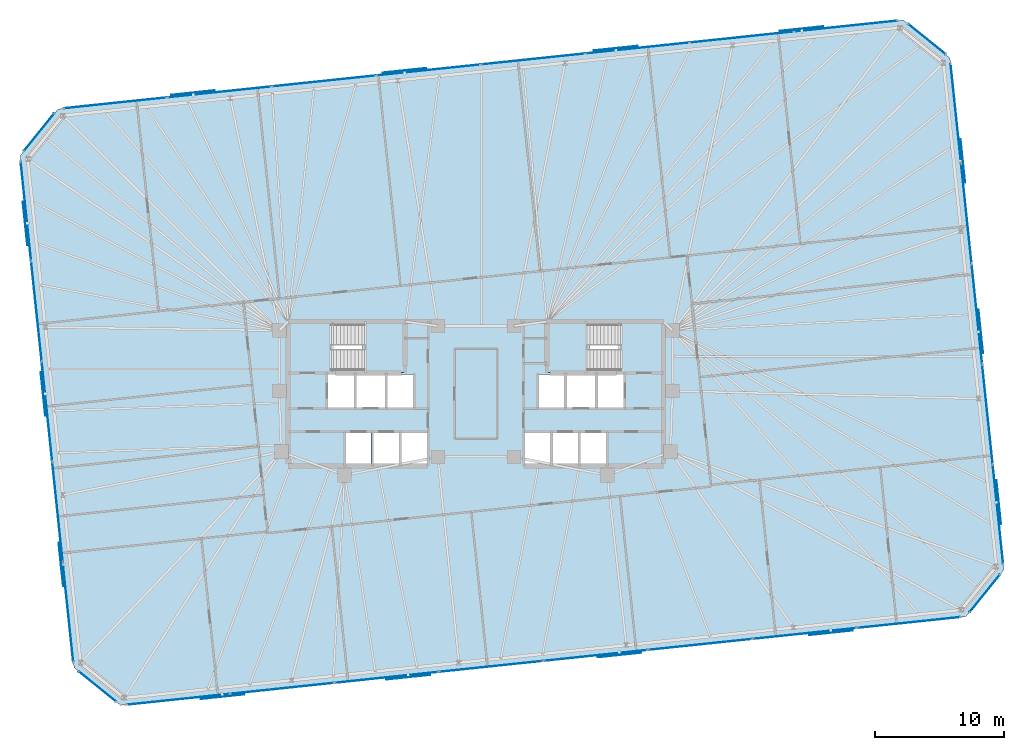
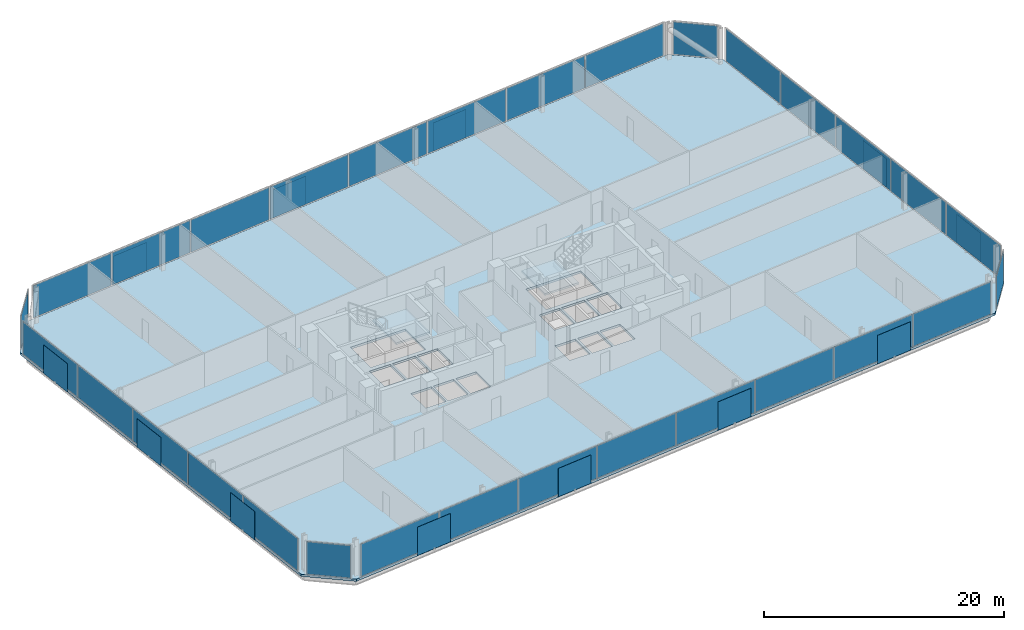
# One storey, part 13 of 18: 44 plates, 3 slabs, 10 elements without a shape of their own.
"""IFC4 building model written with IfcOpenShell, lengths in metres."""

from ifc_helpers import new_model, si_unit, direction, frame, origin, origin_2d, place, context, subcontext, project, spatial, polyline, rectangle, outline, extrude, material, layer, layer_set, type_object, element, aggregate, save


model = new_model("IFC4")

# Units and contexts
model_context = context("Model", 3, precision=1e-05, world=origin(), true_north=direction((0.0, 1.0)))
body_context = subcontext(model_context, "Body", "Model", "MODEL_VIEW")
ifc_project = project(units=[si_unit("LENGTHUNIT", "METRE"), si_unit("AREAUNIT", "SQUARE_METRE"), si_unit("VOLUMEUNIT", "CUBIC_METRE"), si_unit("PLANEANGLEUNIT", "RADIAN"), si_unit("MASSUNIT", "GRAM", prefix="KILO")], contexts=[model_context])

# Site, building, storey
site_placement = place(None, origin())
site = spatial("IfcSite", under=ifc_project, at=site_placement, CompositionType="ELEMENT")
building_placement = place(site_placement, origin())
building = spatial("IfcBuilding", under=site, at=building_placement, Name="Menara Jurai Vektor", CompositionType="ELEMENT")
storey_placement = place(building_placement, frame((0.0, 0.0, 120.699951171875)))
storey = spatial("IfcBuildingStorey", under=building, at=storey_placement, Name="L30", CompositionType="ELEMENT", Elevation=120.699951171875)

# Curtain wall, plates
ifc_material_1 = material(Name="Anodised Pale Aluminium & Low-E Double Glazing", Category="aluminium")
curtain_wall_type = type_object("IfcCurtainWallType", Name="CW-BLK2", PredefinedType="NOTDEFINED", material=ifc_material_1)
curtain_wall_1_placement = place(storey_placement, origin())
curtain_wall_1 = element("IfcCurtainWall", 1, at=curtain_wall_1_placement, inside=storey, type_object=curtain_wall_type, Name="Unitised Curtain Wall L30 F01", PredefinedType="NOTDEFINED")
ifc_material_2 = material(Name="Low-E Solar-Control Double Glazed Unit", Category="glass")
ifc_layer_1 = layer(ifc_material_2, 0.033935546875)
ifc_layer_set_1 = layer_set([ifc_layer_1], Name="Low-E Solar-Control Double Glazed Unit")
plate_type_1 = type_object("IfcPlateType", Name="CW-BLK2-PNL", PredefinedType="CURTAIN_PANEL", material=ifc_layer_set_1)
plate_1_placement = place(storey_placement, frame((-23.090087890625, -23.69921875, 0.090087890625), z_axis=(0.0, 0.0, 1.0), x_axis=(0.994521877325, 0.104528634935, 0.0)))
plate_1 = element("IfcPlate", 2, at=plate_1_placement, type_object=plate_type_1, Name="CW-02 panel 1.1", PredefinedType="CURTAIN_PANEL", context=body_context, shape_type="SweptSolid", body=[
    extrude(rectangle(XDim=8.007568359375, YDim=0.033935546875, at=origin_2d()), origin(), (0.0, 0.0, 1.0), 3.294921875),
])
plate_2_placement = place(storey_placement, frame((-15.014404296875, -22.850341796875, 0.090087890625), z_axis=(0.0, 0.0, 1.0), x_axis=(0.994521877325, 0.104528634935, 0.0)))
plate_2 = element("IfcPlate", 3, at=plate_2_placement, type_object=plate_type_1, Name="CW-02 panel 2.1", PredefinedType="CURTAIN_PANEL", context=body_context, shape_type="SweptSolid", body=[
    extrude(rectangle(XDim=8.052490234375, YDim=0.033935546875, at=origin_2d()), origin(), (0.0, 0.0, 1.0), 3.294921875),
])
plate_3_placement = place(storey_placement, frame((-6.91650390625, -21.999267578125, 0.090087890625), z_axis=(0.0, 0.0, 1.0), x_axis=(0.994521877325, 0.104528634935, 0.0)))
plate_3 = element("IfcPlate", 4, at=plate_3_placement, type_object=plate_type_1, Name="CW-02 panel 3.1", PredefinedType="CURTAIN_PANEL", context=body_context, shape_type="SweptSolid", body=[
    extrude(rectangle(XDim=8.052490234375, YDim=0.033935546875, at=origin_2d()), origin(), (0.0, 0.0, 1.0), 3.294921875),
])
plate_4_placement = place(storey_placement, frame((1.181396484375, -21.148193359375, 0.090087890625), z_axis=(0.0, 0.0, 1.0), x_axis=(0.994521877325, 0.104528634935, 0.0)))
plate_4 = element("IfcPlate", 5, at=plate_4_placement, type_object=plate_type_1, Name="CW-02 panel 4.1", PredefinedType="CURTAIN_PANEL", context=body_context, shape_type="SweptSolid", body=[
    extrude(rectangle(XDim=8.052490234375, YDim=0.033935546875, at=origin_2d()), origin(), (0.0, 0.0, 1.0), 3.294921875),
])
plate_5_placement = place(storey_placement, frame((9.279296875, -20.297119140625, 0.090087890625), z_axis=(0.0, 0.0, 1.0), x_axis=(0.994521877325, 0.104528634935, 0.0)))
plate_5 = element("IfcPlate", 6, at=plate_5_placement, type_object=plate_type_1, Name="CW-02 panel 5.1", PredefinedType="CURTAIN_PANEL", context=body_context, shape_type="SweptSolid", body=[
    extrude(rectangle(XDim=8.052490234375, YDim=0.033935546875, at=origin_2d()), origin(), (0.0, 0.0, 1.0), 3.294921875),
])
plate_6_placement = place(storey_placement, frame((17.377197265625, -19.44580078125, 0.090087890625), z_axis=(0.0, 0.0, 1.0), x_axis=(0.994521877325, 0.104528634935, 0.0)))
plate_6 = element("IfcPlate", 7, at=plate_6_placement, type_object=plate_type_1, Name="CW-02 panel 6.1", PredefinedType="CURTAIN_PANEL", context=body_context, shape_type="SweptSolid", body=[
    extrude(rectangle(XDim=8.052490234375, YDim=0.033935546875, at=origin_2d()), origin(), (0.0, 0.0, 1.0), 3.294921875),
])
plate_7_placement = place(storey_placement, frame((25.47509765625, -18.5947265625, 0.090087890625), z_axis=(0.0, 0.0, 1.0), x_axis=(0.994521877325, 0.104528634935, 0.0)))
plate_7 = element("IfcPlate", 8, at=plate_7_placement, type_object=plate_type_1, Name="CW-02 panel 7.1", PredefinedType="CURTAIN_PANEL", context=body_context, shape_type="SweptSolid", body=[
    extrude(rectangle(XDim=8.052490234375, YDim=0.033935546875, at=origin_2d()), origin(), (0.0, 0.0, 1.0), 3.294921875),
])
plate_8_placement = place(storey_placement, frame((33.550537109375, -17.74609375, 0.090087890625), z_axis=(0.0, 0.0, 1.0), x_axis=(0.994521877325, 0.104528634935, 0.0)))
plate_8 = element("IfcPlate", 9, at=plate_8_placement, type_object=plate_type_1, Name="CW-02 panel 8.1", PredefinedType="CURTAIN_PANEL", context=body_context, shape_type="SweptSolid", body=[
    extrude(rectangle(XDim=8.007568359375, YDim=0.033935546875, at=origin_2d()), origin(), (0.0, 0.0, 1.0), 3.294921875),
])
aggregate(curtain_wall_1, [plate_1, plate_2, plate_3, plate_4, plate_5, plate_6, plate_7, plate_8])

curtain_wall_2_placement = place(storey_placement, origin())
curtain_wall_2 = element("IfcCurtainWall", 10, at=curtain_wall_2_placement, inside=storey, type_object=curtain_wall_type, Name="Unitised Curtain Wall L30 F03", PredefinedType="NOTDEFINED")
plate_9_placement = place(storey_placement, frame((40.485595703125, -9.358642578125, 0.090087890625), z_axis=(0.0, 0.0, 1.0), x_axis=(-0.104529576902, 0.99452177832, 0.0)))
plate_9 = element("IfcPlate", 11, at=plate_9_placement, type_object=plate_type_1, Name="CW-02 panel 1.1", PredefinedType="CURTAIN_PANEL", context=body_context, shape_type="SweptSolid", body=[
    extrude(rectangle(XDim=7.693115234375, YDim=0.033935546875, at=origin_2d()), origin(), (0.0, 0.0, 1.0), 3.294921875),
])
plate_10_placement = place(storey_placement, frame((39.669677734375, -1.595947265625, 0.090087890625), z_axis=(0.0, 0.0, 1.0), x_axis=(-0.104529576902, 0.99452177832, 0.0)))
plate_10 = element("IfcPlate", 12, at=plate_10_placement, type_object=plate_type_1, Name="CW-02 panel 2.1", PredefinedType="CURTAIN_PANEL", context=body_context, shape_type="SweptSolid", body=[
    extrude(rectangle(XDim=7.738037109375, YDim=0.033935546875, at=origin_2d()), origin(), (0.0, 0.0, 1.0), 3.294921875),
])
plate_11_placement = place(storey_placement, frame((38.8515625, 6.189208984375, 0.090087890625), z_axis=(0.0, 0.0, 1.0), x_axis=(-0.104529576902, 0.99452177832, 0.0)))
plate_11 = element("IfcPlate", 13, at=plate_11_placement, type_object=plate_type_1, Name="CW-02 panel 3.1", PredefinedType="CURTAIN_PANEL", context=body_context, shape_type="SweptSolid", body=[
    extrude(rectangle(XDim=7.738037109375, YDim=0.033935546875, at=origin_2d()), origin(), (0.0, 0.0, 1.0), 3.294921875),
])
plate_12_placement = place(storey_placement, frame((38.033203125, 13.974365234375, 0.090087890625), z_axis=(0.0, 0.0, 1.0), x_axis=(-0.104529576902, 0.99452177832, 0.0)))
plate_12 = element("IfcPlate", 14, at=plate_12_placement, type_object=plate_type_1, Name="CW-02 panel 4.1", PredefinedType="CURTAIN_PANEL", context=body_context, shape_type="SweptSolid", body=[
    extrude(rectangle(XDim=7.738037109375, YDim=0.033935546875, at=origin_2d()), origin(), (0.0, 0.0, 1.0), 3.294921875),
])
plate_13_placement = place(storey_placement, frame((37.21728515625, 21.737060546875, 0.090087890625), z_axis=(0.0, 0.0, 1.0), x_axis=(-0.104529576902, 0.99452177832, 0.0)))
plate_13 = element("IfcPlate", 15, at=plate_13_placement, type_object=plate_type_1, Name="CW-02 panel 5.1", PredefinedType="CURTAIN_PANEL", context=body_context, shape_type="SweptSolid", body=[
    extrude(rectangle(XDim=7.693115234375, YDim=0.033935546875, at=origin_2d()), origin(), (0.0, 0.0, 1.0), 3.294921875),
])
aggregate(curtain_wall_2, [plate_9, plate_10, plate_11, plate_12, plate_13])

curtain_wall_3_placement = place(storey_placement, origin())
curtain_wall_3 = element("IfcCurtainWall", 16, at=curtain_wall_3_placement, inside=storey, type_object=curtain_wall_type, Name="Unitised Curtain Wall L30 F05", PredefinedType="NOTDEFINED")
plate_14_placement = place(storey_placement, frame((28.68994140625, 28.499267578125, 0.090087890625), z_axis=(0.0, 0.0, 1.0), x_axis=(-0.994521877325, -0.104528634935, 0.0)))
plate_14 = element("IfcPlate", 17, at=plate_14_placement, type_object=plate_type_1, Name="CW-02 panel 1.1", PredefinedType="CURTAIN_PANEL", context=body_context, shape_type="SweptSolid", body=[
    extrude(rectangle(XDim=8.007568359375, YDim=0.033935546875, at=origin_2d()), origin(), (0.0, 0.0, 1.0), 3.294921875),
])
plate_15_placement = place(storey_placement, frame((20.614501953125, 27.650390625, 0.090087890625), z_axis=(0.0, 0.0, 1.0), x_axis=(-0.994521877325, -0.104528634935, 0.0)))
plate_15 = element("IfcPlate", 18, at=plate_15_placement, type_object=plate_type_1, Name="CW-02 panel 2.1", PredefinedType="CURTAIN_PANEL", context=body_context, shape_type="SweptSolid", body=[
    extrude(rectangle(XDim=8.052490234375, YDim=0.033935546875, at=origin_2d()), origin(), (0.0, 0.0, 1.0), 3.294921875),
])
plate_16_placement = place(storey_placement, frame((12.5166015625, 26.79931640625, 0.090087890625), z_axis=(0.0, 0.0, 1.0), x_axis=(-0.994521877325, -0.104528634935, 0.0)))
plate_16 = element("IfcPlate", 19, at=plate_16_placement, type_object=plate_type_1, Name="CW-02 panel 3.1", PredefinedType="CURTAIN_PANEL", context=body_context, shape_type="SweptSolid", body=[
    extrude(rectangle(XDim=8.052490234375, YDim=0.033935546875, at=origin_2d()), origin(), (0.0, 0.0, 1.0), 3.294921875),
])
plate_17_placement = place(storey_placement, frame((4.418701171875, 25.9482421875, 0.090087890625), z_axis=(0.0, 0.0, 1.0), x_axis=(-0.994521877325, -0.104528634935, 0.0)))
plate_17 = element("IfcPlate", 20, at=plate_17_placement, type_object=plate_type_1, Name="CW-02 panel 4.1", PredefinedType="CURTAIN_PANEL", context=body_context, shape_type="SweptSolid", body=[
    extrude(rectangle(XDim=8.052490234375, YDim=0.033935546875, at=origin_2d()), origin(), (0.0, 0.0, 1.0), 3.294921875),
])
plate_18_placement = place(storey_placement, frame((-3.67919921875, 25.096923828125, 0.090087890625), z_axis=(0.0, 0.0, 1.0), x_axis=(-0.994521877325, -0.104528634935, 0.0)))
plate_18 = element("IfcPlate", 21, at=plate_18_placement, type_object=plate_type_1, Name="CW-02 panel 5.1", PredefinedType="CURTAIN_PANEL", context=body_context, shape_type="SweptSolid", body=[
    extrude(rectangle(XDim=8.052490234375, YDim=0.033935546875, at=origin_2d()), origin(), (0.0, 0.0, 1.0), 3.294921875),
])
plate_19_placement = place(storey_placement, frame((-11.777099609375, 24.245849609375, 0.090087890625), z_axis=(0.0, 0.0, 1.0), x_axis=(-0.994521877325, -0.104528634935, 0.0)))
plate_19 = element("IfcPlate", 22, at=plate_19_placement, type_object=plate_type_1, Name="CW-02 panel 6.1", PredefinedType="CURTAIN_PANEL", context=body_context, shape_type="SweptSolid", body=[
    extrude(rectangle(XDim=8.052490234375, YDim=0.033935546875, at=origin_2d()), origin(), (0.0, 0.0, 1.0), 3.294921875),
])
plate_20_placement = place(storey_placement, frame((-19.875, 23.394775390625, 0.090087890625), z_axis=(0.0, 0.0, 1.0), x_axis=(-0.994521877325, -0.104528634935, 0.0)))
plate_20 = element("IfcPlate", 23, at=plate_20_placement, type_object=plate_type_1, Name="CW-02 panel 7.1", PredefinedType="CURTAIN_PANEL", context=body_context, shape_type="SweptSolid", body=[
    extrude(rectangle(XDim=8.052490234375, YDim=0.033935546875, at=origin_2d()), origin(), (0.0, 0.0, 1.0), 3.294921875),
])
plate_21_placement = place(storey_placement, frame((-27.95068359375, 22.5458984375, 0.090087890625), z_axis=(0.0, 0.0, 1.0), x_axis=(-0.994521877325, -0.104528634935, 0.0)))
plate_21 = element("IfcPlate", 24, at=plate_21_placement, type_object=plate_type_1, Name="CW-02 panel 8.1", PredefinedType="CURTAIN_PANEL", context=body_context, shape_type="SweptSolid", body=[
    extrude(rectangle(XDim=8.007568359375, YDim=0.033935546875, at=origin_2d()), origin(), (0.0, 0.0, 1.0), 3.294921875),
])
aggregate(curtain_wall_3, [plate_14, plate_15, plate_16, plate_17, plate_18, plate_19, plate_20, plate_21])

curtain_wall_4_placement = place(storey_placement, origin())
curtain_wall_4 = element("IfcCurtainWall", 25, at=curtain_wall_4_placement, inside=storey, type_object=curtain_wall_type, Name="Unitised Curtain Wall L30 F07", PredefinedType="NOTDEFINED")
plate_22_placement = place(storey_placement, frame((-34.885498046875, 14.15869140625, 0.090087890625), z_axis=(0.0, 0.0, 1.0), x_axis=(0.104529576902, -0.99452177832, 0.0)))
plate_22 = element("IfcPlate", 26, at=plate_22_placement, type_object=plate_type_1, Name="CW-02 panel 1.1", PredefinedType="CURTAIN_PANEL", context=body_context, shape_type="SweptSolid", body=[
    extrude(rectangle(XDim=7.693115234375, YDim=0.033935546875, at=origin_2d()), origin(), (0.0, 0.0, 1.0), 3.294921875),
])
plate_23_placement = place(storey_placement, frame((-34.06982421875, 6.39599609375, 0.090087890625), z_axis=(0.0, 0.0, 1.0), x_axis=(0.104529576902, -0.99452177832, 0.0)))
plate_23 = element("IfcPlate", 27, at=plate_23_placement, type_object=plate_type_1, Name="CW-02 panel 2.1", PredefinedType="CURTAIN_PANEL", context=body_context, shape_type="SweptSolid", body=[
    extrude(rectangle(XDim=7.738037109375, YDim=0.033935546875, at=origin_2d()), origin(), (0.0, 0.0, 1.0), 3.294921875),
])
plate_24_placement = place(storey_placement, frame((-33.25146484375, -1.38916015625, 0.090087890625), z_axis=(0.0, 0.0, 1.0), x_axis=(0.104529576902, -0.99452177832, 0.0)))
plate_24 = element("IfcPlate", 28, at=plate_24_placement, type_object=plate_type_1, Name="CW-02 panel 3.1", PredefinedType="CURTAIN_PANEL", context=body_context, shape_type="SweptSolid", body=[
    extrude(rectangle(XDim=7.738037109375, YDim=0.033935546875, at=origin_2d()), origin(), (0.0, 0.0, 1.0), 3.294921875),
])
plate_25_placement = place(storey_placement, frame((-32.43310546875, -9.17431640625, 0.090087890625), z_axis=(0.0, 0.0, 1.0), x_axis=(0.104529576902, -0.99452177832, 0.0)))
plate_25 = element("IfcPlate", 29, at=plate_25_placement, type_object=plate_type_1, Name="CW-02 panel 4.1", PredefinedType="CURTAIN_PANEL", context=body_context, shape_type="SweptSolid", body=[
    extrude(rectangle(XDim=7.738037109375, YDim=0.033935546875, at=origin_2d()), origin(), (0.0, 0.0, 1.0), 3.294921875),
])
plate_26_placement = place(storey_placement, frame((-31.6171875, -16.93701171875, 0.090087890625), z_axis=(0.0, 0.0, 1.0), x_axis=(0.104529576902, -0.99452177832, 0.0)))
plate_26 = element("IfcPlate", 30, at=plate_26_placement, type_object=plate_type_1, Name="CW-02 panel 5.1", PredefinedType="CURTAIN_PANEL", context=body_context, shape_type="SweptSolid", body=[
    extrude(rectangle(XDim=7.693115234375, YDim=0.033935546875, at=origin_2d()), origin(), (0.0, 0.0, 1.0), 3.294921875),
])
aggregate(curtain_wall_4, [plate_22, plate_23, plate_24, plate_25, plate_26])

# Curtain wall, plate
curtain_wall_5_placement = place(storey_placement, origin())
curtain_wall_5 = element("IfcCurtainWall", 31, at=curtain_wall_5_placement, inside=storey, type_object=curtain_wall_type, Name="Unitised Curtain Wall L30 F02", PredefinedType="NOTDEFINED")
ifc_material_3 = material(Name="Insulated Pale Aluminium Spandrel Panel", Category="aluminium")
ifc_layer_2 = layer(ifc_material_3, 0.06005859375)
ifc_layer_set_2 = layer_set([ifc_layer_2], Name="Insulated Pale Aluminium Spandrel Panel")
plate_type_2 = type_object("IfcPlateType", Name="CW-PNL-SP", PredefinedType="CURTAIN_PANEL", material=ifc_layer_set_2)
plate_27_placement = place(storey_placement, frame((39.46826171875, -15.465087890625, 0.090087890625), z_axis=(0.0, 0.0, 1.0), x_axis=(0.62934106172, 0.777129222223, 0.0)))
plate_27 = element("IfcPlate", 32, at=plate_27_placement, type_object=plate_type_2, Name="CW-02 panel 1.1", PredefinedType="CURTAIN_PANEL", context=body_context, shape_type="SweptSolid", body=[
    extrude(rectangle(XDim=3.72705078125, YDim=0.06005859375, at=origin_2d()), origin(), (0.0, 0.0, 1.0), 3.294921875),
])
aggregate(curtain_wall_5, [plate_27])

curtain_wall_6_placement = place(storey_placement, origin())
curtain_wall_6 = element("IfcCurtainWall", 33, at=curtain_wall_6_placement, inside=storey, type_object=curtain_wall_type, Name="Unitised Curtain Wall L30 F04", PredefinedType="NOTDEFINED")
plate_28_placement = place(storey_placement, frame((34.95263671875, 27.498291015625, 0.090087890625), z_axis=(0.0, 0.0, 1.0), x_axis=(-0.777151877437, 0.629313085353, 0.0)))
plate_28 = element("IfcPlate", 34, at=plate_28_placement, type_object=plate_type_2, Name="CW-02 panel 1.1", PredefinedType="CURTAIN_PANEL", context=body_context, shape_type="SweptSolid", body=[
    extrude(rectangle(XDim=3.72705078125, YDim=0.06005859375, at=origin_2d()), origin(), (0.0, 0.0, 1.0), 3.294921875),
])
aggregate(curtain_wall_6, [plate_28])

curtain_wall_7_placement = place(storey_placement, origin())
curtain_wall_7 = element("IfcCurtainWall", 35, at=curtain_wall_7_placement, inside=storey, type_object=curtain_wall_type, Name="Unitised Curtain Wall L30 F06", PredefinedType="NOTDEFINED")
plate_29_placement = place(storey_placement, frame((-33.868408203125, 20.264892578125, 0.090087890625), z_axis=(0.0, 0.0, 1.0), x_axis=(-0.62934106172, -0.777129222223, 0.0)))
plate_29 = element("IfcPlate", 36, at=plate_29_placement, type_object=plate_type_2, Name="CW-02 panel 1.1", PredefinedType="CURTAIN_PANEL", context=body_context, shape_type="SweptSolid", body=[
    extrude(rectangle(XDim=3.72705078125, YDim=0.06005859375, at=origin_2d()), origin(), (0.0, 0.0, 1.0), 3.294921875),
])
aggregate(curtain_wall_7, [plate_29])

curtain_wall_8_placement = place(storey_placement, origin())
curtain_wall_8 = element("IfcCurtainWall", 37, at=curtain_wall_8_placement, inside=storey, type_object=curtain_wall_type, Name="Unitised Curtain Wall L30 F08", PredefinedType="NOTDEFINED")
plate_30_placement = place(storey_placement, frame((-29.3525390625, -22.6982421875, 0.090087890625), z_axis=(0.0, 0.0, 1.0), x_axis=(0.777151877437, -0.629313085353, 0.0)))
plate_30 = element("IfcPlate", 38, at=plate_30_placement, type_object=plate_type_2, Name="CW-02 panel 1.1", PredefinedType="CURTAIN_PANEL", context=body_context, shape_type="SweptSolid", body=[
    extrude(rectangle(XDim=3.72705078125, YDim=0.06005859375, at=origin_2d()), origin(), (0.0, 0.0, 1.0), 3.294921875),
])
aggregate(curtain_wall_8, [plate_30])

# Plates
ifc_material_4 = material(Name="Anodised Pale Aluminium Perforated Screen", Category="aluminium")
ifc_layer_3 = layer(ifc_material_4, 0.02392578125)
ifc_layer_set_3 = layer_set([ifc_layer_3], Name="Anodised Pale Aluminium Perforated Screen")
plate_type_3 = type_object("IfcPlateType", Name="ENV-PLT-SCREEN", PredefinedType="USERDEFINED", material=ifc_layer_set_3)
for number, where, z_axis, x_axis, name in (
    (39, (-19.65771484375, -23.499267578125, -0.0498046875), (0.0, 0.0, 1.0), (0.994521895368, 0.104528463268, 0.0), "Perforated Pale-Metal Solar Screen L30-S01"),
    (40, (-5.2392578125, -21.98388671875, -0.0498046875), (0.0, 0.0, 1.0), (0.994521895368, 0.104528463268, 0.0), "Perforated Pale-Metal Solar Screen L30-S02"),
    (41, (11.1455078125, -20.26171875, -0.0498046875), (0.0, 0.0, 1.0), (0.994521895368, 0.104528463268, 0.0), "Perforated Pale-Metal Solar Screen L30-S03"),
    (42, (27.5302734375, -18.539794921875, -0.0498046875), (0.0, 0.0, 1.0), (0.994521895368, 0.104528463268, 0.0), "Perforated Pale-Metal Solar Screen L30-S04"),
    (43, (40.546875, -8.41015625, -0.0498046875), (0.0, 0.0, 1.0), (-0.104528463268, 0.994521895368, 0.0), "Perforated Pale-Metal Solar Screen L30-S05"),
    (44, (39.156494140625, 4.81689453125, -0.0498046875), (0.0, 0.0, 1.0), (-0.104528463268, 0.994521895368, 0.0), "Perforated Pale-Metal Solar Screen L30-S06"),
    (45, (37.766357421875, 18.044189453125, -0.0498046875), (0.0, 0.0, 1.0), (-0.104528463268, 0.994521895368, 0.0), "Perforated Pale-Metal Solar Screen L30-S07"),
    (46, (25.2578125, 28.29931640625, -0.0498046875), (0.0, 0.0, 1.0), (-0.994521895368, -0.104528463268, 0.0), "Perforated Pale-Metal Solar Screen L30-S08"),
    (47, (10.839111328125, 26.783935546875, -0.0498046875), (0.0, 0.0, 1.0), (-0.994521895368, -0.104528463268, 0.0), "Perforated Pale-Metal Solar Screen L30-S09"),
    (48, (-5.54541015625, 25.061767578125, -0.0498046875), (0.0, 0.0, 1.0), (-0.994521895368, -0.104528463268, 0.0), "Perforated Pale-Metal Solar Screen L30-S10"),
    (49, (-21.930419921875, 23.339599609375, -0.0498046875), (0.0, 0.0, 1.0), (-0.994521895368, -0.104528463268, 0.0), "Perforated Pale-Metal Solar Screen L30-S11"),
    (50, (-34.94677734375, 13.210205078125, -0.0498046875), (0.0, 0.0, 1.0), (0.104528463268, -0.994521895368, 0.0), "Perforated Pale-Metal Solar Screen L30-S12"),
    (51, (-33.556396484375, -0.01708984375, -0.0498046875), (0.0, 0.0, 1.0), (0.104528463268, -0.994521895368, 0.0), "Perforated Pale-Metal Solar Screen L30-S13"),
    (52, (-32.166259765625, -13.244140625, -0.0498046875), (0.0, 0.0, 1.0), (0.104528463268, -0.994521895368, 0.0), "Perforated Pale-Metal Solar Screen L30-S14"),
):
    element("IfcPlate", number, at=place(storey_placement, frame(where, z_axis=z_axis, x_axis=x_axis)), inside=storey, type_object=plate_type_3, Name=name, ObjectType="SCREEN", PredefinedType="USERDEFINED", context=body_context, shape_type="SweptSolid", body=[
        extrude(rectangle(XDim=3.39990234375, YDim=0.02392578125, at=origin_2d()), origin(), (0.0, 0.0, 1.0), 2.89990234375),
    ])

# Stair, slab
ifc_material_5 = material(Name="Concrete C40/50", Category="concrete")
stair_type = type_object("IfcStairType", Name="STAIR-DOGLEG-1500", PredefinedType="HALF_TURN_STAIR", material=ifc_material_5)
stair_1_placement = place(storey_placement, origin())
stair_1 = element("IfcStair", 53, at=stair_1_placement, inside=storey, type_object=stair_type, Name="Protected Exit Stair ST1 L30", PredefinedType="HALF_TURN_STAIR")
ifc_layer_4 = layer(ifc_material_5, 0.199951171875)
ifc_layer_set_4 = layer_set([ifc_layer_4], Name="Concrete C40/50")
slab_type_1 = type_object("IfcSlabType", Name="STAIR-LANDING-200", PredefinedType="LANDING", material=ifc_layer_set_4)
slab_1_placement = place(storey_placement, frame((0.0, 0.0, 1.650146484375)))
slab_1 = element("IfcSlab", 54, at=slab_1_placement, type_object=slab_type_1, Name="ST1 landing 1", PredefinedType="LANDING", context=body_context, shape_type="SweptSolid", body=[
    extrude(outline(polyline([(-8.800048828125, 1.64990234375), (-5.550048828125, 1.64990234375), (-5.550048828125, 5.550048828125), (-8.800048828125, 5.550048828125), (-8.800048828125, 1.64990234375)])), origin(), (0.0, 0.0, 1.0), 0.199951171875),
])
aggregate(stair_1, [slab_1])

stair_2_placement = place(storey_placement, origin())
stair_2 = element("IfcStair", 55, at=stair_2_placement, inside=storey, type_object=stair_type, Name="Protected Exit Stair ST2 L30", PredefinedType="HALF_TURN_STAIR")
slab_2_placement = place(storey_placement, frame((0.0, 0.0, 1.650146484375)))
slab_2 = element("IfcSlab", 56, at=slab_2_placement, type_object=slab_type_1, Name="ST2 landing 1", PredefinedType="LANDING", context=body_context, shape_type="SweptSolid", body=[
    extrude(outline(polyline([(5.550048828125, 1.64990234375), (8.800048828125, 1.64990234375), (8.800048828125, 5.550048828125), (5.550048828125, 5.550048828125), (5.550048828125, 1.64990234375)])), origin(), (0.0, 0.0, 1.0), 0.199951171875),
])
aggregate(stair_2, [slab_2])

# Slab
ifc_layer_5 = layer(ifc_material_5, 0.22509765625)
ifc_layer_set_5 = layer_set([ifc_layer_5], Name="Concrete C40/50")
slab_type_2 = type_object("IfcSlabType", Name="STR-SLAB-TYP200", PredefinedType="FLOOR", material=ifc_layer_set_5)
slab_3_placement = place(storey_placement, frame((0.0, 0.0, -0.224853515625)))
element("IfcSlab", 57, at=slab_3_placement, inside=storey, type_object=slab_type_2, Name="Composite Floor Slab L30", PredefinedType="FLOOR", context=body_context, shape_type="SweptSolid", body=[
    extrude(outline(polyline([(-27.539306640625, -24.166748046875), (37.999755859375, -17.2783203125), (40.936767578125, -13.651611328125), (36.76611328125, 26.02978515625), (33.13916015625, 28.966796875), (-32.39990234375, 22.078369140625), (-35.3369140625, 18.45166015625), (-31.166015625, -21.22998046875), (-27.539306640625, -24.166748046875)]), holes=[polyline([(-11.10009765625, 1.89990234375), (-11.10009765625, 5.300048828125), (-5.800048828125, 5.300048828125), (-5.800048828125, 1.89990234375), (-11.10009765625, 1.89990234375)]), polyline([(5.800048828125, 1.89990234375), (5.800048828125, 5.300048828125), (11.10009765625, 5.300048828125), (11.10009765625, 1.89990234375), (5.800048828125, 1.89990234375)]), polyline([(-11.449951171875, -1.050048828125), (-11.449951171875, 1.5), (-9.449951171875, 1.5), (-9.449951171875, -1.050048828125), (-11.449951171875, -1.050048828125)]), polyline([(9.449951171875, -1.050048828125), (9.449951171875, 1.5), (11.449951171875, 1.5), (11.449951171875, -1.050048828125), (9.449951171875, -1.050048828125)]), polyline([(-5.760009765625, -5.5), (-5.760009765625, -3.050048828125), (-3.800048828125, -3.050048828125), (-3.800048828125, -5.5), (-5.760009765625, -5.5)]), polyline([(-6.85009765625, -1.050048828125), (-6.85009765625, 1.5), (-4.889892578125, 1.5), (-4.889892578125, -1.050048828125), (-6.85009765625, -1.050048828125)]), polyline([(3.800048828125, -5.5), (3.800048828125, -3.050048828125), (5.760009765625, -3.050048828125), (5.760009765625, -5.5), (3.800048828125, -5.5)]), polyline([(4.889892578125, -1.050048828125), (4.889892578125, 1.5), (6.85009765625, 1.5), (6.85009765625, -1.050048828125), (4.889892578125, -1.050048828125)]), polyline([(-10.080078125, -5.5), (-10.080078125, -3.050048828125), (-8.1201171875, -3.050048828125), (-8.1201171875, -5.5), (-10.080078125, -5.5)]), polyline([(-7.919921875, -5.5), (-7.919921875, -3.050048828125), (-5.9599609375, -3.050048828125), (-5.9599609375, -5.5), (-7.919921875, -5.5)]), polyline([(5.9599609375, -5.5), (5.9599609375, -3.050048828125), (7.919921875, -3.050048828125), (7.919921875, -5.5), (5.9599609375, -5.5)]), polyline([(8.1201171875, -5.5), (8.1201171875, -3.050048828125), (10.080078125, -3.050048828125), (10.080078125, -5.5), (8.1201171875, -5.5)]), polyline([(-9.25, -1.050048828125), (-9.25, 1.5), (-7.050048828125, 1.5), (-7.050048828125, -1.050048828125), (-9.25, -1.050048828125)]), polyline([(7.050048828125, -1.050048828125), (7.050048828125, 1.5), (9.25, 1.5), (9.25, -1.050048828125), (7.050048828125, -1.050048828125)])]), origin(), (0.0, 0.0, 1.0), 0.224853515625),
])

save(model, "model.ifc")
